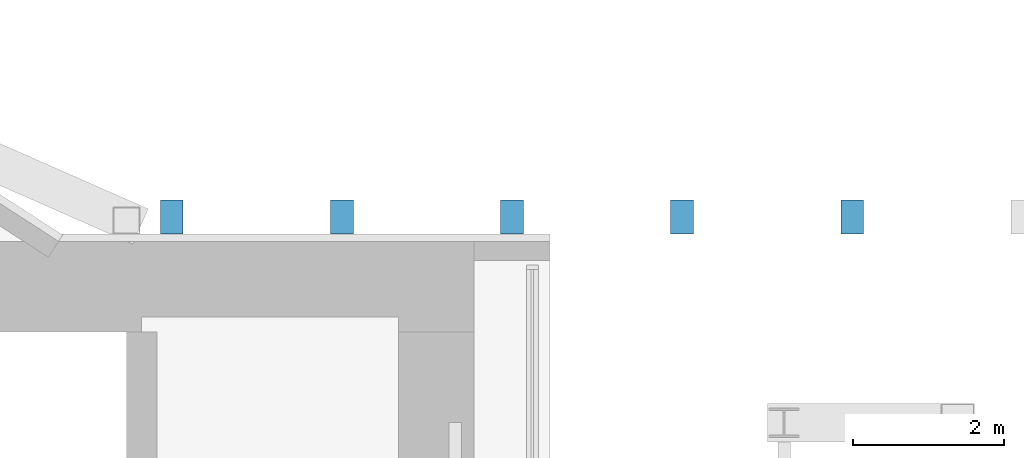
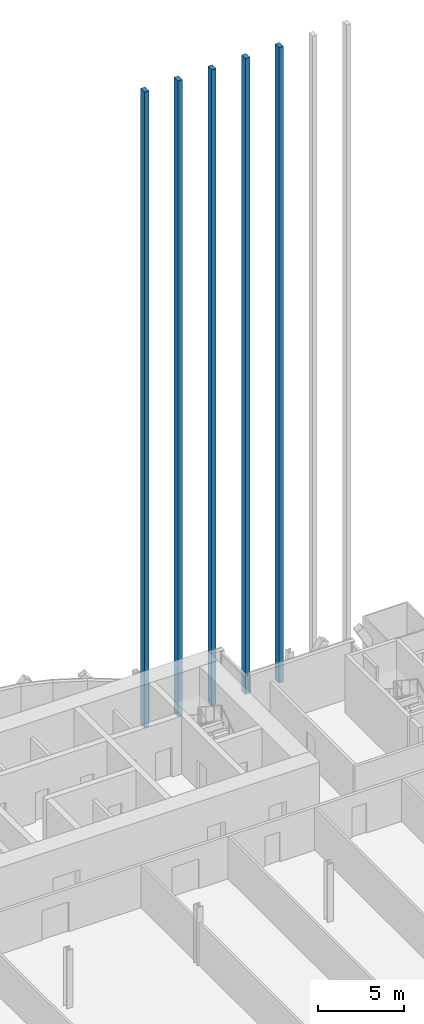
# One storey, part 12 of 22: 5 members, 1 element without a shape of its own.
"""IFC4 building model written with IfcOpenShell, lengths in metres."""

from ifc_helpers import new_model, si_unit, direction, frame, origin, origin_2d, place, context, subcontext, project, spatial, rectangle, extrude, material, material_profile, profile_set, type_object, element, aggregate, save


model = new_model("IFC4")

# Units and contexts
model_context = context("Model", 3, precision=1e-05, world=origin(), true_north=direction((0.0, 1.0)))
body_context = subcontext(model_context, "Body", "Model", "MODEL_VIEW")
ifc_project = project(units=[si_unit("LENGTHUNIT", "METRE"), si_unit("AREAUNIT", "SQUARE_METRE"), si_unit("VOLUMEUNIT", "CUBIC_METRE"), si_unit("PLANEANGLEUNIT", "RADIAN"), si_unit("MASSUNIT", "GRAM", prefix="KILO")], contexts=[model_context])

# Site, building, storey
site_placement = place(None, origin())
site = spatial("IfcSite", under=ifc_project, at=site_placement, CompositionType="ELEMENT")
building_placement = place(site_placement, origin())
building = spatial("IfcBuilding", under=site, at=building_placement, Name="Bicima Exchange Tower", CompositionType="ELEMENT")
storey_placement = place(building_placement, frame((0.0, 0.0, 89.89990234375)))
storey = spatial("IfcBuildingStorey", under=building, at=storey_placement, Name="L18", CompositionType="ELEMENT", Elevation=89.89990234375)

# Curtain wall, members
ifc_material = material(Name="Anodised bronze aluminium", Category="aluminium")
curtain_wall_type = type_object("IfcCurtainWallType", Name="Rear blade screen", PredefinedType="NOTDEFINED", material=ifc_material)
curtain_wall_placement = place(storey_placement, origin())
curtain_wall = element("IfcCurtainWall", 1, at=curtain_wall_placement, inside=storey, type_object=curtain_wall_type, Name="Rear blade screen L18-L28 E", PredefinedType="NOTDEFINED")
ifc_material_profile = material_profile(ifc_material, rectangle(XDim=0.449951171875, YDim=0.300048828125, at=origin_2d()))
ifc_profile_set = profile_set([ifc_material_profile], Name="Anodised bronze aluminium")
member_type = type_object("IfcMemberType", Name="Rear blade fin 450 x 300", PredefinedType="USERDEFINED", material=ifc_profile_set)
member_1_placement = place(storey_placement, frame((18.0, 0.324951171875, 0.0), z_axis=(0.0, 0.0, 1.0), x_axis=(0.0, 1.0, 0.0)))
member_1 = element("IfcMember", 2, at=member_1_placement, type_object=member_type, Name="Rear blade fin L18-L28 13", ObjectType="FIN", PredefinedType="USERDEFINED", context=body_context, shape_type="SweptSolid", body=[
    extrude(rectangle(XDim=0.449951171875, YDim=0.300048828125, at=origin_2d()), origin(), (0.0, 0.0, 1.0), 44.900146484375),
])
member_2_placement = place(storey_placement, frame((20.25, 0.324951171875, 0.0), z_axis=(0.0, 0.0, 1.0), x_axis=(0.0, 1.0, 0.0)))
member_2 = element("IfcMember", 3, at=member_2_placement, type_object=member_type, Name="Rear blade fin L18-L28 14", ObjectType="FIN", PredefinedType="USERDEFINED", context=body_context, shape_type="SweptSolid", body=[
    extrude(rectangle(XDim=0.449951171875, YDim=0.300048828125, at=origin_2d()), origin(), (0.0, 0.0, 1.0), 44.900146484375),
])
member_3_placement = place(storey_placement, frame((22.5, 0.324951171875, 0.0), z_axis=(0.0, 0.0, 1.0), x_axis=(0.0, 1.0, 0.0)))
member_3 = element("IfcMember", 4, at=member_3_placement, type_object=member_type, Name="Rear blade fin L18-L28 15", ObjectType="FIN", PredefinedType="USERDEFINED", context=body_context, shape_type="SweptSolid", body=[
    extrude(rectangle(XDim=0.449951171875, YDim=0.300048828125, at=origin_2d()), origin(), (0.0, 0.0, 1.0), 44.900146484375),
])
member_4_placement = place(storey_placement, frame((24.75, 0.324951171875, 0.0), z_axis=(0.0, 0.0, 1.0), x_axis=(0.0, 1.0, 0.0)))
member_4 = element("IfcMember", 5, at=member_4_placement, type_object=member_type, Name="Rear blade fin L18-L28 16", ObjectType="FIN", PredefinedType="USERDEFINED", context=body_context, shape_type="SweptSolid", body=[
    extrude(rectangle(XDim=0.449951171875, YDim=0.300048828125, at=origin_2d()), origin(), (0.0, 0.0, 1.0), 44.900146484375),
])
member_5_placement = place(storey_placement, frame((27.0, 0.324951171875, 0.0), z_axis=(0.0, 0.0, 1.0), x_axis=(0.0, 1.0, 0.0)))
member_5 = element("IfcMember", 6, at=member_5_placement, type_object=member_type, Name="Rear blade fin L18-L28 17", ObjectType="FIN", PredefinedType="USERDEFINED", context=body_context, shape_type="SweptSolid", body=[
    extrude(rectangle(XDim=0.449951171875, YDim=0.300048828125, at=origin_2d()), origin(), (0.0, 0.0, 1.0), 44.900146484375),
])
aggregate(curtain_wall, [member_1, member_2, member_3, member_4, member_5])

save(model, "model.ifc")
